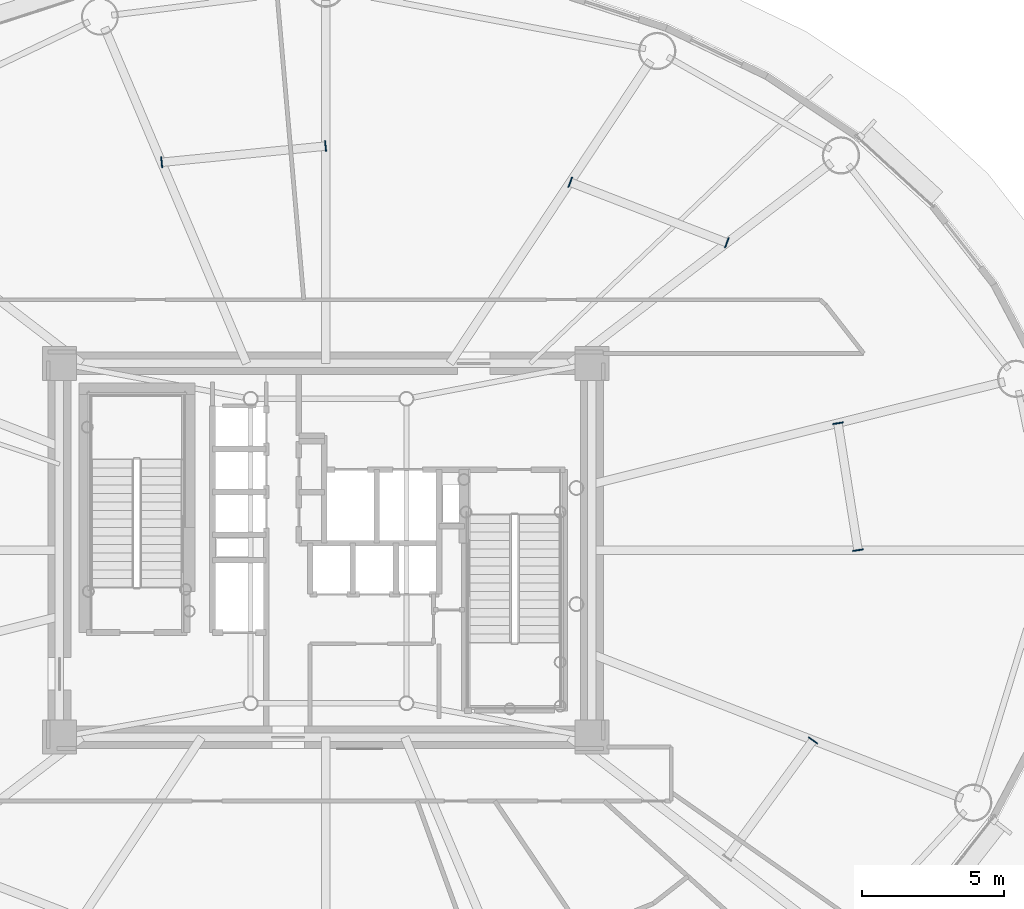
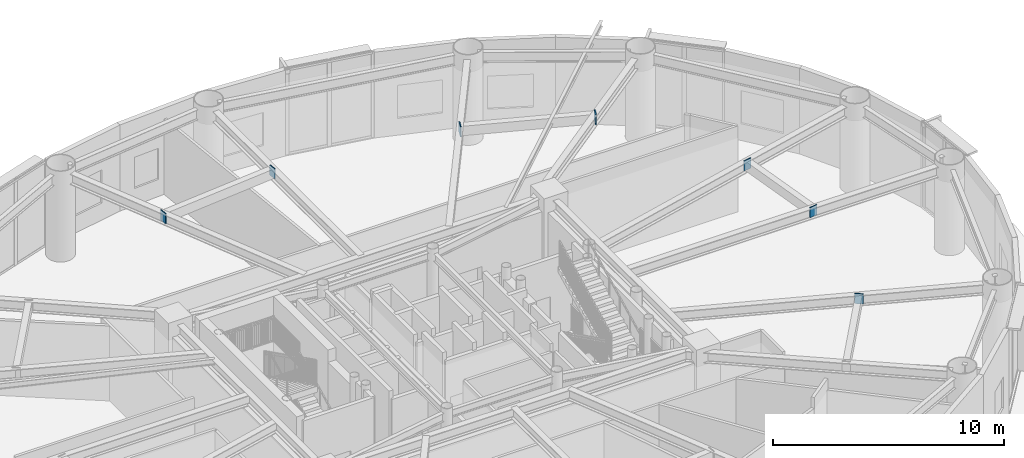
# One storey, part 26 of 38: 7 plates.
"""IFC4 building model written with IfcOpenShell, lengths in metres."""

from ifc_helpers import new_model, si_unit, direction, frame, origin, origin_2d, place, context, subcontext, project, spatial, rectangle, extrude, source, transform, mapped, material, layer, layer_set, type_object, element, save


model = new_model("IFC4")

# Units and contexts
model_context = context("Model", 3, precision=1e-05, world=origin(), true_north=direction((0.0, 1.0)))
body_context = subcontext(model_context, "Body", "Model", "MODEL_VIEW")
ifc_project = project(units=[si_unit("LENGTHUNIT", "METRE"), si_unit("AREAUNIT", "SQUARE_METRE"), si_unit("VOLUMEUNIT", "CUBIC_METRE"), si_unit("PLANEANGLEUNIT", "RADIAN"), si_unit("MASSUNIT", "GRAM", prefix="KILO")], contexts=[model_context])

# Site, building, storey
site_placement = place(None, origin())
site = spatial("IfcSite", under=ifc_project, at=site_placement, CompositionType="ELEMENT")
building_placement = place(site_placement, origin())
building = spatial("IfcBuilding", under=site, at=building_placement, Name="Linh Dai School and Residence Tower", CompositionType="ELEMENT")
storey_placement = place(building_placement, frame((0.0, 0.0, 151.35009765625)))
storey = spatial("IfcBuildingStorey", under=building, at=storey_placement, Name="L36", CompositionType="ELEMENT", Elevation=151.35009765625)

# Plates
ifc_material = material(Name="Structural Steel S355JR", Category="steel")
ifc_layer = layer(ifc_material, 0.0400390625)
ifc_layer_set = layer_set([ifc_layer], Name="Structural Steel S355JR")
plate_type = type_object("IfcPlateType", Name="PLT-GP1", PredefinedType="USERDEFINED", material=ifc_layer_set)
shared_shape = source(origin(), body_context, "Body", "SweptSolid", [
    extrude(rectangle(XDim=0.0400390625, YDim=0.3798828125, at=origin_2d()), origin(), (0.0, 0.0, 1.0), 0.5400390625),
])
for number, where, z_axis, x_axis, name in (
    (1, (54.795166015625, 27.0048828125, 4.02978515625), (0.0, 0.0, 1.0), (-0.156309354655, 0.987708148011, 0.0), "L36 Secondary Beam End Plate 01A"),
    (2, (54.0859375, 31.486572265625, 4.02978515625), (0.0, 0.0, 1.0), (-0.156309354655, 0.987708148011, 0.0), "L36 Secondary Beam End Plate 01B"),
    (3, (50.1640625, 37.860107421875, 4.02978515625), (0.0, 0.0, 1.0), (-0.932822787929, 0.36033546359, 0.0), "L36 Secondary Beam End Plate 02A"),
    (4, (44.63427734375, 39.99609375, 4.02978515625), (0.0, 0.0, 1.0), (-0.932822787929, 0.36033546359, 0.0), "L36 Secondary Beam End Plate 02B"),
    (5, (35.9951171875, 41.27294921875, 4.02978515625), (0.0, 0.0, 1.0), (-0.995144649372, -0.098423202682, 0.0), "L36 Secondary Beam End Plate 03A"),
    (6, (30.20751953125, 40.700439453125, 4.02978515625), (0.0, 0.0, 1.0), (-0.995144649372, -0.098423202682, 0.0), "L36 Secondary Beam End Plate 03B"),
    (7, (53.205322265625, 20.28857421875, 4.02978515625), (0.0, 0.0, 1.0), (0.590797317165, 0.806820010926, 0.0), "L36 Secondary Beam End Plate 08B"),
):
    element("IfcPlate", number, at=place(storey_placement, frame(where, z_axis=z_axis, x_axis=x_axis)), inside=storey, type_object=plate_type, Name=name, ObjectType="GUSSET PLATE", PredefinedType="USERDEFINED", context=body_context, shape_type="MappedRepresentation", body=[
        mapped(shared_shape, transform((0.0, 0.0, 0.0), x_axis=(1.0, 0.0, 0.0), y_axis=(0.0, 1.0, 0.0), z_axis=(0.0, 0.0, 1.0), scale=1.0)),
    ])

save(model, "model.ifc")
